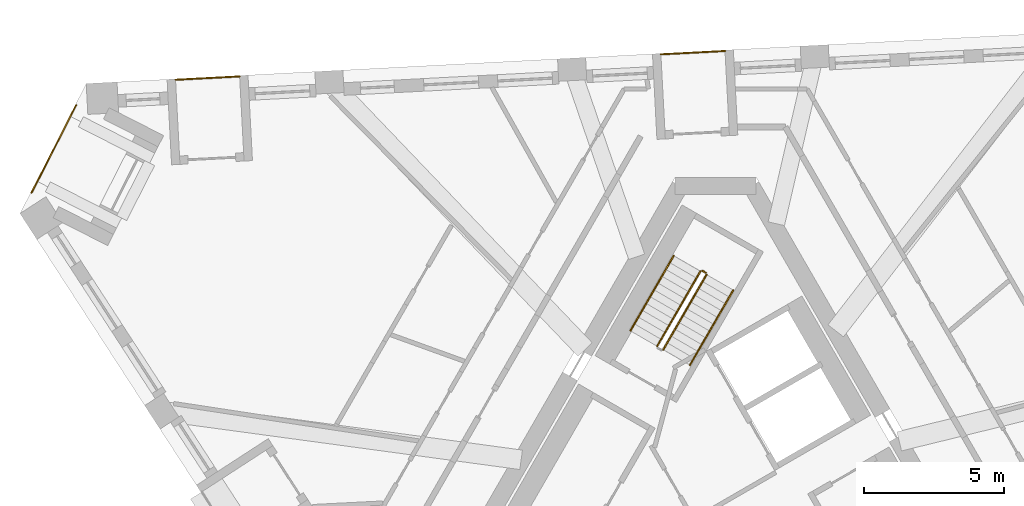
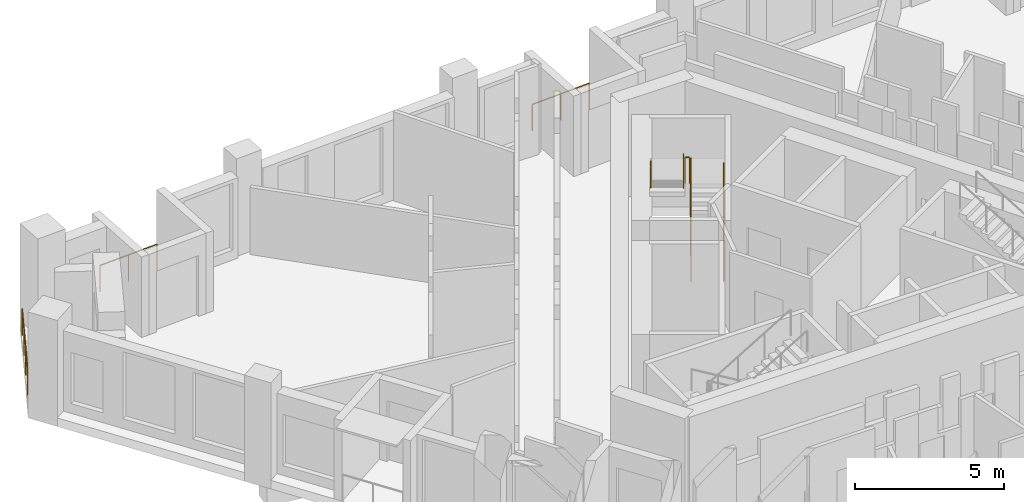
# One storey, part 11 of 12: 8 railings.
"""IFC4 building model written with IfcOpenShell, lengths in metres."""

from ifc_helpers import new_model, si_unit, direction, frame, origin, origin_2d, place, context, subcontext, project, spatial, circle, extrude, material, type_object, element, save


model = new_model("IFC4")

# Units and contexts
model_context = context("Model", 3, precision=1e-05, world=origin(), true_north=direction((0.0, 1.0)))
body_context = subcontext(model_context, "Body", "Model", "MODEL_VIEW")
ifc_project = project(units=[si_unit("LENGTHUNIT", "METRE"), si_unit("AREAUNIT", "SQUARE_METRE"), si_unit("VOLUMEUNIT", "CUBIC_METRE"), si_unit("PLANEANGLEUNIT", "RADIAN"), si_unit("MASSUNIT", "GRAM", prefix="KILO")], contexts=[model_context])

# Site, building, storey
site_placement = place(None, origin())
site = spatial("IfcSite", under=ifc_project, at=site_placement, CompositionType="ELEMENT")
building_placement = place(site_placement, origin())
building = spatial("IfcBuilding", under=site, at=building_placement, Name="Tramontana Tower", CompositionType="ELEMENT")
storey_placement = place(building_placement, frame((0.0, 0.0, 274.39990234375)))
storey = spatial("IfcBuildingStorey", under=building, at=storey_placement, Name="L64", CompositionType="ELEMENT", Elevation=274.39990234375)

# Railings
ifc_material_1 = material(Name="Laminated glass balustrade", Category="glass")
railing_type_1 = type_object("IfcRailingType", Name="GD1 Loggia glass balustrade 1100", PredefinedType="BALUSTRADE", material=ifc_material_1)
for number, where, name in (
    (1, (0.332275390625, 15.508544921875, 0.0), "Loggia balustrade L64 G7S2.7"),
    (2, (-16.964599609375, 14.60205078125, 0.0), "Loggia balustrade L64 G7S2.13"),
):
    element("IfcRailing", number, at=place(storey_placement, frame(where)), inside=storey, type_object=railing_type_1, Name=name, PredefinedType="BALUSTRADE", context=body_context, shape_type="SweptSolid", body=[
        extrude(circle(Radius=0.02392578125, at=origin_2d()), frame((0.0, 0.0, 1.076171875), z_axis=(-0.998630775221, -0.052312281362, 0.0), x_axis=(0.052312281362, -0.998630775221, 0.0)), (0.0, 0.0, 1.0), 2.286865234375),
        extrude(circle(Radius=0.02099609375, at=origin_2d()), origin(), (0.0, 0.0, 1.0), 1.052001953125),
        extrude(circle(Radius=0.02099609375, at=origin_2d()), frame((-1.141845703125, -0.059814453125, 0.0)), (0.0, 0.0, 1.0), 1.052001953125),
        extrude(circle(Radius=0.02099609375, at=origin_2d()), frame((-2.28369140625, -0.11962890625, 0.0)), (0.0, 0.0, 1.0), 1.052001953125),
    ])
railing_1_placement = place(storey_placement, frame((-24.37939453125, 10.457763671875, 0.0)))
element("IfcRailing", 3, at=railing_1_placement, inside=storey, type_object=railing_type_1, Name="Corner loggia balustrade L64 K70", PredefinedType="BALUSTRADE", context=body_context, shape_type="SweptSolid", body=[
    extrude(circle(Radius=0.02392578125, at=origin_2d()), frame((0.0, 0.0, 1.076171875), z_axis=(0.453952949021, 0.891025656238, 0.0), x_axis=(-0.891025656238, 0.453952949021, 0.0)), (0.0, 0.0, 1.0), 3.5),
    extrude(circle(Radius=0.02099609375, at=origin_2d()), origin(), (0.0, 0.0, 1.0), 1.052001953125),
    extrude(circle(Radius=0.02099609375, at=origin_2d()), frame((0.529541015625, 1.03955078125, 0.0)), (0.0, 0.0, 1.0), 1.052001953125),
    extrude(circle(Radius=0.02099609375, at=origin_2d()), frame((1.059326171875, 2.0791015625, 0.0)), (0.0, 0.0, 1.0), 1.052001953125),
    extrude(circle(Radius=0.02099609375, at=origin_2d()), frame((1.5888671875, 3.11865234375, 0.0)), (0.0, 0.0, 1.0), 1.052001953125),
])
ifc_material_2 = material(Name="Painted steel", Category="steel")
railing_type_2 = type_object("IfcRailingType", Name="STAIR GUARD 1100", PredefinedType="GUARDRAIL", material=ifc_material_2)
railing_2_placement = place(storey_placement, frame((-1.867431640625, 4.865478515625, 0.166748046875)))
element("IfcRailing", 4, at=railing_2_placement, inside=storey, type_object=railing_type_2, Name="L64 ST1 stair guard 1", PredefinedType="GUARDRAIL", context=body_context, shape_type="SweptSolid", body=[
    extrude(circle(Radius=0.02392578125, at=origin_2d()), frame((0.0, 0.0, 1.076171875), z_axis=(0.429649414936, 0.744189839504, 0.511451721109), x_axis=(-0.866029832698, 0.499992328818, 0.0)), (0.0, 0.0, 1.0), 3.58447265625),
    extrude(circle(Radius=0.02099609375, at=origin_2d()), origin(), (0.0, 0.0, 1.0), 1.052001953125),
    extrude(circle(Radius=0.02099609375, at=origin_2d()), frame((0.513427734375, 0.88916015625, 0.611083984375)), (0.0, 0.0, 1.0), 1.052001953125),
    extrude(circle(Radius=0.02099609375, at=origin_2d()), frame((1.026611328125, 1.7783203125, 1.22216796875)), (0.0, 0.0, 1.0), 1.052001953125),
    extrude(circle(Radius=0.02099609375, at=origin_2d()), frame((1.5400390625, 2.66748046875, 1.833251953125)), (0.0, 0.0, 1.0), 1.052001953125),
])
railing_3_placement = place(storey_placement, frame((-0.5439453125, 7.657958984375, 2.166748046875)))
element("IfcRailing", 5, at=railing_3_placement, inside=storey, type_object=railing_type_2, Name="L64 ST1 stair guard 2", PredefinedType="GUARDRAIL", context=body_context, shape_type="SweptSolid", body=[
    extrude(circle(Radius=0.02392578125, at=origin_2d()), frame((0.0, 0.0, 1.076171875), z_axis=(-0.429649414936, -0.744189839504, 0.511451721109), x_axis=(0.866029832698, -0.499992328818, 0.0)), (0.0, 0.0, 1.0), 3.58447265625),
    extrude(circle(Radius=0.02099609375, at=origin_2d()), origin(), (0.0, 0.0, 1.0), 1.052001953125),
    extrude(circle(Radius=0.02099609375, at=origin_2d()), frame((-0.513427734375, -0.88916015625, 0.611083984375)), (0.0, 0.0, 1.0), 1.052001953125),
    extrude(circle(Radius=0.02099609375, at=origin_2d()), frame((-1.026611328125, -1.7783203125, 1.22216796875)), (0.0, 0.0, 1.0), 1.052001953125),
    extrude(circle(Radius=0.02099609375, at=origin_2d()), frame((-1.5400390625, -2.66748046875, 1.833251953125)), (0.0, 0.0, 1.0), 1.052001953125),
])
railing_4_placement = place(storey_placement, frame((-0.345703125, 7.601318359375, 2.0)))
element("IfcRailing", 6, at=railing_4_placement, inside=storey, type_object=railing_type_2, Name="L64 ST1 stair guard 3", PredefinedType="GUARDRAIL", context=body_context, shape_type="SweptSolid", body=[
    extrude(circle(Radius=0.02392578125, at=origin_2d()), frame((0.0, 0.0, 1.076171875), z_axis=(-0.866131372301, 0.499816412211, 0.0), x_axis=(-0.499816412211, -0.866131372301, 0.0)), (0.0, 0.0, 1.0), 0.14990234375),
    extrude(circle(Radius=0.02099609375, at=origin_2d()), origin(), (0.0, 0.0, 1.0), 1.052001953125),
    extrude(circle(Radius=0.02099609375, at=origin_2d()), frame((-0.1298828125, 0.074951171875, 0.0)), (0.0, 0.0, 1.0), 1.052001953125),
])
ifc_material_3 = material(Name="Painted steel", Category="steel")
railing_type_3 = type_object("IfcRailingType", Name="STAIR HANDRAIL 900", PredefinedType="HANDRAIL", material=ifc_material_3)
railing_5_placement = place(storey_placement, frame((-0.914794921875, 4.315673828125, 0.166748046875)))
element("IfcRailing", 7, at=railing_5_placement, inside=storey, type_object=railing_type_3, Name="L64 ST1 stair handrail 1", PredefinedType="HANDRAIL", context=body_context, shape_type="SweptSolid", body=[
    extrude(circle(Radius=0.02392578125, at=origin_2d()), frame((0.0, 0.0, 0.8759765625), z_axis=(0.429671193721, 0.744159446956, 0.511477646425), x_axis=(-0.866010015463, 0.500026652407, 0.0)), (0.0, 0.0, 1.0), 3.584228515625),
    extrude(circle(Radius=0.02099609375, at=origin_2d()), origin(), (0.0, 0.0, 1.0), 0.851806640625),
    extrude(circle(Radius=0.02099609375, at=origin_2d()), frame((0.513427734375, 0.88916015625, 0.611083984375)), (0.0, 0.0, 1.0), 0.851806640625),
    extrude(circle(Radius=0.02099609375, at=origin_2d()), frame((1.026611328125, 1.778076171875, 1.22216796875)), (0.0, 0.0, 1.0), 0.851806640625),
    extrude(circle(Radius=0.02099609375, at=origin_2d()), frame((1.5400390625, 2.667236328125, 1.833251953125)), (0.0, 0.0, 1.0), 0.851806640625),
])
railing_6_placement = place(storey_placement, frame((-1.49658203125, 8.2080078125, 2.166748046875)))
element("IfcRailing", 8, at=railing_6_placement, inside=storey, type_object=railing_type_3, Name="L64 ST1 stair handrail 2", PredefinedType="HANDRAIL", context=body_context, shape_type="SweptSolid", body=[
    extrude(circle(Radius=0.02392578125, at=origin_2d()), frame((0.0, 0.0, 0.8759765625), z_axis=(-0.429649414936, -0.744189839504, 0.511451721109), x_axis=(0.866029832698, -0.499992328818, 0.0)), (0.0, 0.0, 1.0), 3.58447265625),
    extrude(circle(Radius=0.02099609375, at=origin_2d()), origin(), (0.0, 0.0, 1.0), 0.851806640625),
    extrude(circle(Radius=0.02099609375, at=origin_2d()), frame((-0.513427734375, -0.88916015625, 0.611083984375)), (0.0, 0.0, 1.0), 0.851806640625),
    extrude(circle(Radius=0.02099609375, at=origin_2d()), frame((-1.026611328125, -1.7783203125, 1.22216796875)), (0.0, 0.0, 1.0), 0.851806640625),
    extrude(circle(Radius=0.02099609375, at=origin_2d()), frame((-1.5400390625, -2.66748046875, 1.833251953125)), (0.0, 0.0, 1.0), 0.851806640625),
])

save(model, "model.ifc")
